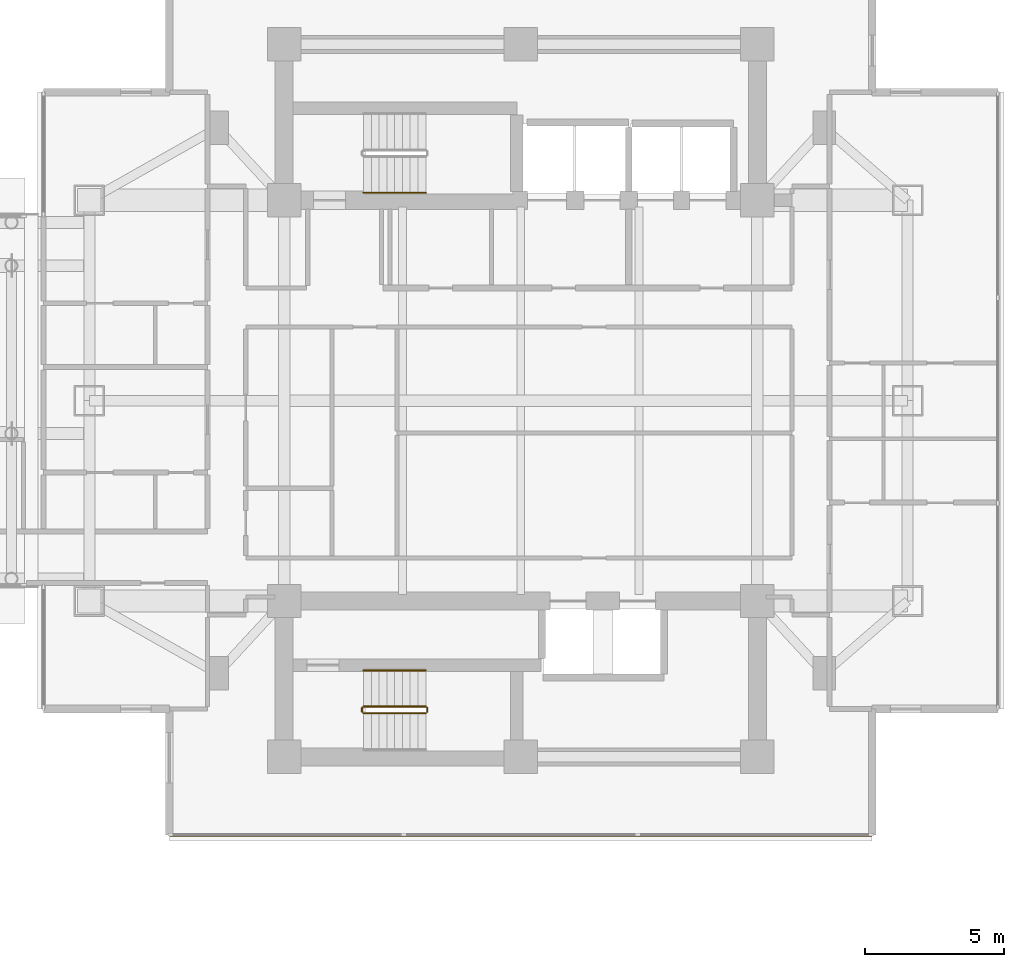
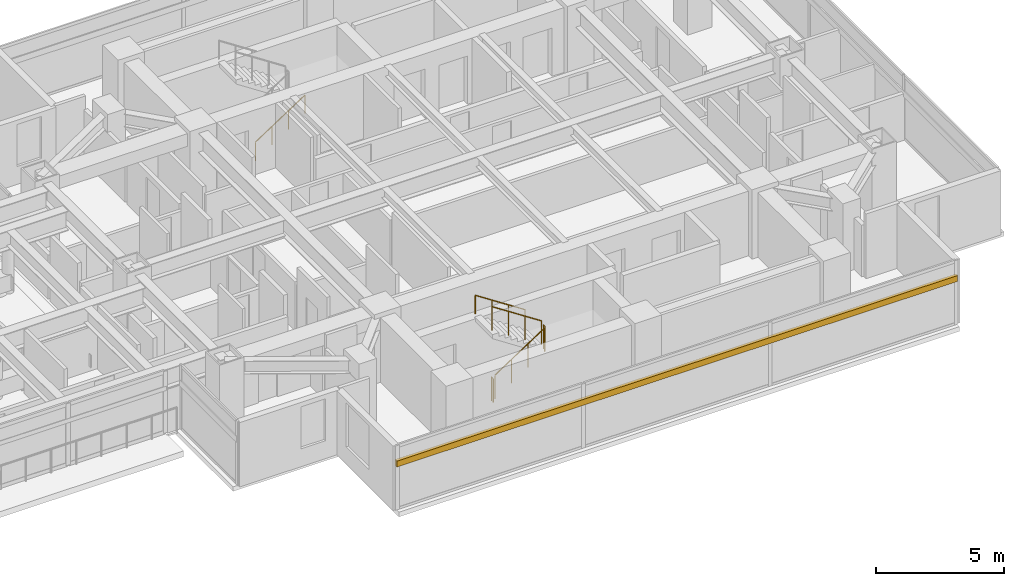
# One storey, part 27 of 29: 6 railings, 1 shading device.
"""IFC4 building model written with IfcOpenShell, lengths in metres."""

from ifc_helpers import new_model, si_unit, direction, frame, origin, origin_2d, place, context, subcontext, project, spatial, rectangle, circle, extrude, material, material_profile, profile_set, type_object, element, save


model = new_model("IFC4")

# Units and contexts
model_context = context("Model", 3, precision=1e-05, world=origin(), true_north=direction((0.0, 1.0)))
body_context = subcontext(model_context, "Body", "Model", "MODEL_VIEW")
ifc_project = project(units=[si_unit("LENGTHUNIT", "METRE"), si_unit("AREAUNIT", "SQUARE_METRE"), si_unit("VOLUMEUNIT", "CUBIC_METRE"), si_unit("PLANEANGLEUNIT", "RADIAN"), si_unit("MASSUNIT", "GRAM", prefix="KILO")], contexts=[model_context])

# Site, building, storey
site_placement = place(None, origin())
site = spatial("IfcSite", under=ifc_project, at=site_placement, CompositionType="ELEMENT")
building_placement = place(site_placement, origin())
building = spatial("IfcBuilding", under=site, at=building_placement, Name="Mirazonda Arch Towers", CompositionType="ELEMENT")
storey_placement = place(building_placement, frame((0.0, 0.0, 88.39990234375)))
storey = spatial("IfcBuildingStorey", under=building, at=storey_placement, Name="L24", CompositionType="ELEMENT", Elevation=88.39990234375)

# Shading device
ifc_material_1 = material(Name="Kiln-Fired Architectural Terracotta", Category="masonry")
ifc_material_profile = material_profile(ifc_material_1, rectangle(XDim=0.139892578125, YDim=0.280029296875, at=origin_2d()), Name="TERRA-BAG-140x280")
ifc_profile_set = profile_set([ifc_material_profile], Name="Kiln-Fired Architectural Terracotta")
shading_device_type = type_object("IfcShadingDeviceType", Name="BAGUETTE-3", PredefinedType="USERDEFINED", material=ifc_profile_set)
shading_device_placement = place(storey_placement, frame((89.126220703125, 12.402587890625, 2.203369140625), z_axis=(-1.0, 0.0, 0.0), x_axis=(0.0, -1.0, 0.0)))
element("IfcShadingDevice", 1, at=shading_device_placement, inside=storey, type_object=shading_device_type, Name="L24 Glazed Terracotta Sun-Screen Baguette CW-L24-T2-S", ObjectType="BAGUETTE", PredefinedType="USERDEFINED", context=body_context, shape_type="SweptSolid", body=[
    extrude(rectangle(XDim=0.139892578125, YDim=0.280029296875, at=origin_2d()), origin(), (0.0, 0.0, 1.0), 25.25244140625),
])

# Railings
ifc_material_2 = material(Name="Architectural Brushed Steel S355", Category="steel")
railing_type_1 = type_object("IfcRailingType", Name="GUARD-STAIR-1120", PredefinedType="GUARDRAIL", material=ifc_material_2)
railing_1_placement = place(storey_placement, frame((70.85009765625, 16.77001953125, 0.183349609375)))
element("IfcRailing", 2, at=railing_1_placement, inside=storey, type_object=railing_type_1, Name="L24 ST-T2S stair guard 1", PredefinedType="GUARDRAIL", context=body_context, shape_type="SweptSolid", body=[
    extrude(circle(Radius=0.02392578125, at=origin_2d()), frame((0.0, 0.0, 1.1259765625), z_axis=(0.836595146698, 0.0, 0.547821650285), x_axis=(0.0, 1.0, 0.0)), (0.0, 0.0, 1.0), 2.677490234375),
    extrude(circle(Radius=0.02099609375, at=origin_2d()), origin(), (0.0, 0.0, 1.0), 1.101806640625),
    extrude(circle(Radius=0.02099609375, at=origin_2d()), frame((0.74658203125, 0.0, 0.489013671875)), (0.0, 0.0, 1.0), 1.101806640625),
    extrude(circle(Radius=0.02099609375, at=origin_2d()), frame((1.493408203125, 0.0, 0.977783203125)), (0.0, 0.0, 1.0), 1.101806640625),
    extrude(circle(Radius=0.02099609375, at=origin_2d()), frame((2.239990234375, 0.0, 1.466796875)), (0.0, 0.0, 1.0), 1.101806640625),
])
railing_2_placement = place(storey_placement, frame((73.139892578125, 16.820068359375, 1.650146484375)))
element("IfcRailing", 3, at=railing_2_placement, inside=storey, type_object=railing_type_1, Name="L24 ST-T2S stair guard 2", PredefinedType="GUARDRAIL", context=body_context, shape_type="SweptSolid", body=[
    extrude(circle(Radius=0.02392578125, at=origin_2d()), frame((0.0, 0.0, 1.1259765625), z_axis=(0.0, 1.0, 0.0), x_axis=(-1.0, 0.0, 0.0)), (0.0, 0.0, 1.0), 0.139892578125),
    extrude(circle(Radius=0.02099609375, at=origin_2d()), origin(), (0.0, 0.0, 1.0), 1.101806640625),
    extrude(circle(Radius=0.02099609375, at=origin_2d()), frame((0.0, 0.139892578125, 0.0)), (0.0, 0.0, 1.0), 1.101806640625),
])
railing_3_placement = place(storey_placement, frame((73.090087890625, 17.010009765625, 1.83349609375)))
element("IfcRailing", 4, at=railing_3_placement, inside=storey, type_object=railing_type_1, Name="L24 ST-T2S stair guard 3", PredefinedType="GUARDRAIL", context=body_context, shape_type="SweptSolid", body=[
    extrude(circle(Radius=0.02392578125, at=origin_2d()), frame((0.0, 0.0, 1.1259765625), z_axis=(-0.836636935527, 0.0, 0.547757827979), x_axis=(0.0, -1.0, 0.0)), (0.0, 0.0, 1.0), 2.677490234375),
    extrude(circle(Radius=0.02099609375, at=origin_2d()), origin(), (0.0, 0.0, 1.0), 1.101806640625),
    extrude(circle(Radius=0.02099609375, at=origin_2d()), frame((-0.74658203125, 0.0, 0.48876953125)), (0.0, 0.0, 1.0), 1.101806640625),
    extrude(circle(Radius=0.02099609375, at=origin_2d()), frame((-1.493408203125, 0.0, 0.977783203125)), (0.0, 0.0, 1.0), 1.101806640625),
    extrude(circle(Radius=0.02099609375, at=origin_2d()), frame((-2.239990234375, 0.0, 1.466552734375)), (0.0, 0.0, 1.0), 1.101806640625),
])
railing_4_placement = place(storey_placement, frame((70.800048828125, 16.820068359375, 0.0)))
element("IfcRailing", 5, at=railing_4_placement, inside=storey, type_object=railing_type_1, Name="L24 ST-T2S stair guard 4", PredefinedType="GUARDRAIL", context=body_context, shape_type="SweptSolid", body=[
    extrude(circle(Radius=0.02392578125, at=origin_2d()), frame((0.0, 0.0, 1.1259765625), z_axis=(0.0, 1.0, 0.0), x_axis=(-1.0, 0.0, 0.0)), (0.0, 0.0, 1.0), 0.139892578125),
    extrude(circle(Radius=0.02099609375, at=origin_2d()), origin(), (0.0, 0.0, 1.0), 1.101806640625),
    extrude(circle(Radius=0.02099609375, at=origin_2d()), frame((0.0, 0.139892578125, 0.0)), (0.0, 0.0, 1.0), 1.101806640625),
])
railing_type_2 = type_object("IfcRailingType", Name="HANDRAIL-915", PredefinedType="HANDRAIL", material=ifc_material_2)
railing_5_placement = place(storey_placement, frame((70.85009765625, 35.469970703125, 0.183349609375)))
element("IfcRailing", 6, at=railing_5_placement, inside=storey, type_object=railing_type_2, Name="L24 ST-T2N stair handrail 1", PredefinedType="HANDRAIL", context=body_context, shape_type="SweptSolid", body=[
    extrude(circle(Radius=0.02392578125, at=origin_2d()), frame((0.0, 0.0, 0.8759765625), z_axis=(0.836595146698, 0.0, 0.547821650285), x_axis=(0.0, 1.0, 0.0)), (0.0, 0.0, 1.0), 2.677490234375),
    extrude(circle(Radius=0.02099609375, at=origin_2d()), origin(), (0.0, 0.0, 1.0), 0.851806640625),
    extrude(circle(Radius=0.02099609375, at=origin_2d()), frame((0.74658203125, 0.0, 0.489013671875)), (0.0, 0.0, 1.0), 0.851806640625),
    extrude(circle(Radius=0.02099609375, at=origin_2d()), frame((1.493408203125, 0.0, 0.977783203125)), (0.0, 0.0, 1.0), 0.851806640625),
    extrude(circle(Radius=0.02099609375, at=origin_2d()), frame((2.239990234375, 0.0, 1.466796875)), (0.0, 0.0, 1.0), 0.851806640625),
])
railing_6_placement = place(storey_placement, frame((73.090087890625, 18.31005859375, 1.83349609375)))
element("IfcRailing", 7, at=railing_6_placement, inside=storey, type_object=railing_type_2, Name="L24 ST-T2S stair handrail 2", PredefinedType="HANDRAIL", context=body_context, shape_type="SweptSolid", body=[
    extrude(circle(Radius=0.02392578125, at=origin_2d()), frame((0.0, 0.0, 0.8759765625), z_axis=(-0.836636935527, 0.0, 0.547757827979), x_axis=(0.0, -1.0, 0.0)), (0.0, 0.0, 1.0), 2.677490234375),
    extrude(circle(Radius=0.02099609375, at=origin_2d()), origin(), (0.0, 0.0, 1.0), 0.851806640625),
    extrude(circle(Radius=0.02099609375, at=origin_2d()), frame((-0.74658203125, 0.0, 0.48876953125)), (0.0, 0.0, 1.0), 0.851806640625),
    extrude(circle(Radius=0.02099609375, at=origin_2d()), frame((-1.493408203125, 0.0, 0.977783203125)), (0.0, 0.0, 1.0), 0.851806640625),
    extrude(circle(Radius=0.02099609375, at=origin_2d()), frame((-2.239990234375, 0.0, 1.466552734375)), (0.0, 0.0, 1.0), 0.851806640625),
])

save(model, "model.ifc")
